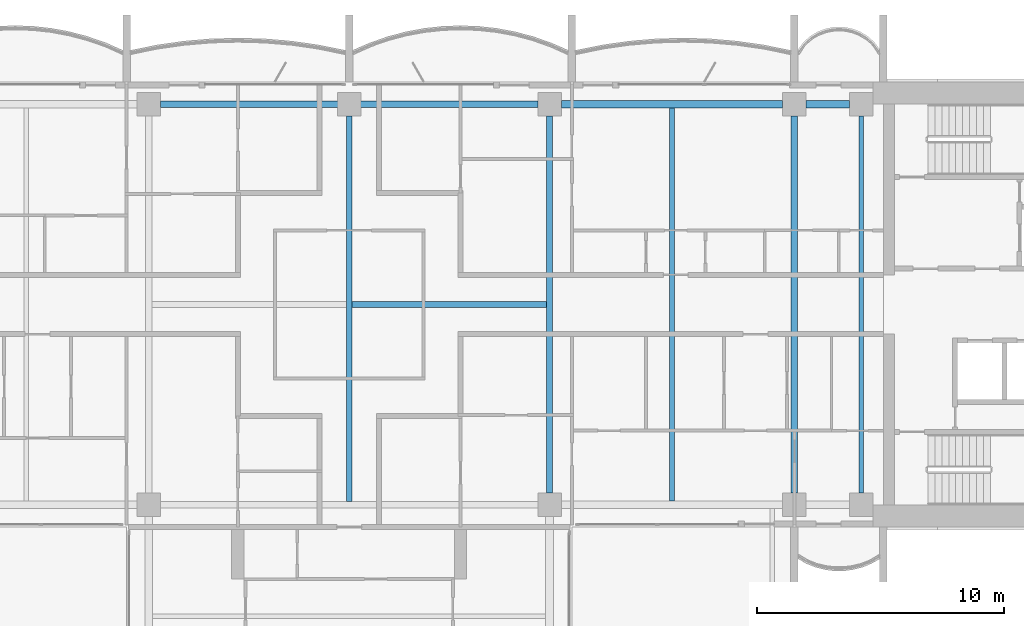
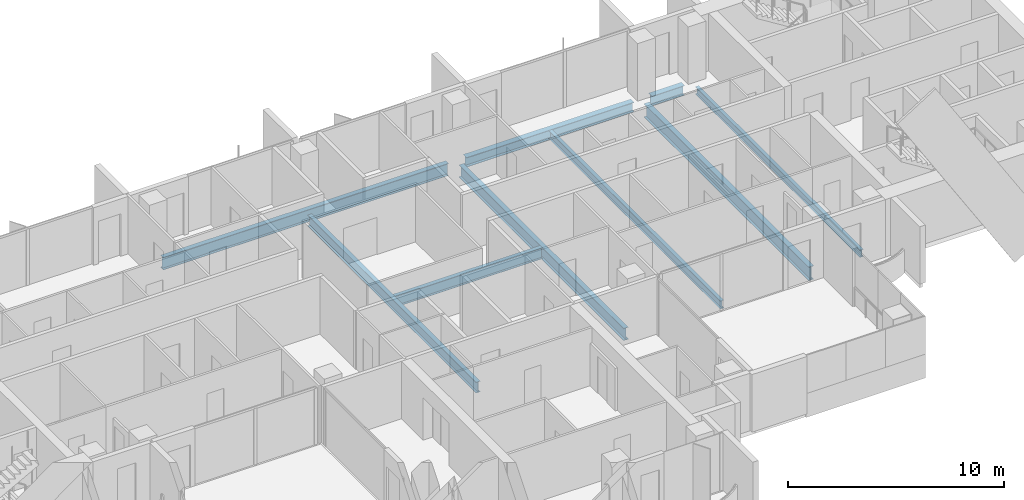
# One storey, part 4 of 17: 9 beams.
"""IFC4 building model written with IfcOpenShell, lengths in metres."""

from ifc_helpers import new_model, si_unit, direction, frame, origin, origin_2d, place, context, subcontext, project, spatial, i_section, extrude, material, material_profile, profile_set, type_object, element, save


model = new_model("IFC4")

# Units and contexts
model_context = context("Model", 3, precision=1e-05, world=origin(), true_north=direction((0.0, 1.0)))
body_context = subcontext(model_context, "Body", "Model", "MODEL_VIEW")
ifc_project = project(units=[si_unit("LENGTHUNIT", "METRE"), si_unit("AREAUNIT", "SQUARE_METRE"), si_unit("VOLUMEUNIT", "CUBIC_METRE"), si_unit("PLANEANGLEUNIT", "RADIAN"), si_unit("MASSUNIT", "GRAM", prefix="KILO")], contexts=[model_context])

# Site, building, storey
site_placement = place(None, origin())
site = spatial("IfcSite", under=ifc_project, at=site_placement, CompositionType="ELEMENT")
building_placement = place(site_placement, origin())
building = spatial("IfcBuilding", under=site, at=building_placement, Name="Perihelion Cross Residences", CompositionType="ELEMENT")
storey_placement = place(building_placement, frame((0.0, 0.0, 208.60009765625)))
storey = spatial("IfcBuildingStorey", under=building, at=storey_placement, Name="L52", CompositionType="ELEMENT", Elevation=208.60009765625)

# Beams
ifc_material_1 = material(Name="Steel S355", Category="steel")
ifc_material_profile_1 = material_profile(ifc_material_1, i_section(OverallWidth=0.180908203125, OverallDepth=0.4169921875, WebThickness=0.010986328125, FlangeThickness=0.018310546875, at=origin_2d()), Name="W410x85")
ifc_profile_set_1 = profile_set([ifc_material_profile_1], Name="Steel S355")
beam_type_1 = type_object("IfcBeamType", Name="Core edge beam W410x85", PredefinedType="BEAM", material=ifc_profile_set_1)
beam_1_placement = place(storey_placement, frame((20.699951171875, -7.625, -0.45849609375), z_axis=(0.0, 1.0, 0.0), x_axis=(-1.0, 0.0, 0.0)))
element("IfcBeam", 1, at=beam_1_placement, inside=storey, type_object=beam_type_1, Name="Core edge beam TB6 L52 no. 2", PredefinedType="BEAM", context=body_context, shape_type="SweptSolid", body=[
    extrude(i_section(OverallWidth=0.180908203125, OverallDepth=0.4169921875, WebThickness=0.010986328125, FlangeThickness=0.018310546875, at=origin_2d()), origin(), (0.0, 0.0, 1.0), 15.25),
])
ifc_material_2 = material(Name="Steel S355", Category="steel")
ifc_material_profile_2 = material_profile(ifc_material_2, i_section(OverallWidth=0.31201171875, OverallDepth=0.5439453125, WebThickness=0.0126953125, FlangeThickness=0.020263671875, at=origin_2d()), Name="W530x150")
ifc_profile_set_2 = profile_set([ifc_material_profile_2], Name="Steel S355")
beam_type_2 = type_object("IfcBeamType", Name="Edge beam W530x150", PredefinedType="SPANDREL", material=ifc_profile_set_2)
beam_2_placement = place(storey_placement, frame((20.22509765625, 8.10009765625, -0.522216796875), z_axis=(-1.0, 0.0, 0.0), x_axis=(0.0, -1.0, 0.0)))
element("IfcBeam", 2, at=beam_2_placement, inside=storey, type_object=beam_type_2, Name="Edge beam SB4 L52 no. 10", PredefinedType="SPANDREL", context=body_context, shape_type="SweptSolid", body=[
    extrude(i_section(OverallWidth=0.31201171875, OverallDepth=0.5439453125, WebThickness=0.0126953125, FlangeThickness=0.020263671875, at=origin_2d()), origin(), (0.0, 0.0, 1.0), 1.75),
])
beam_3_placement = place(storey_placement, frame((17.52490234375, 8.10009765625, -0.522216796875), z_axis=(-1.0, 0.0, 0.0), x_axis=(0.0, -1.0, 0.0)))
element("IfcBeam", 3, at=beam_3_placement, inside=storey, type_object=beam_type_2, Name="Edge beam SB4 L52 no. 9", PredefinedType="SPANDREL", context=body_context, shape_type="SweptSolid", body=[
    extrude(i_section(OverallWidth=0.31201171875, OverallDepth=0.5439453125, WebThickness=0.0126953125, FlangeThickness=0.020263671875, at=origin_2d()), origin(), (0.0, 0.0, 1.0), 8.949951171875),
])
ifc_material_3 = material(Name="Steel S355", Category="steel")
ifc_material_profile_3 = material_profile(ifc_material_3, i_section(OverallWidth=0.26708984375, OverallDepth=0.77001953125, WebThickness=0.015625, FlangeThickness=0.025390625, at=origin_2d()), Name="W760x196")
ifc_profile_set_3 = profile_set([ifc_material_profile_3], Name="Steel S355")
beam_type_3 = type_object("IfcBeamType", Name="Floor girder W760x196", PredefinedType="BEAM", material=ifc_profile_set_3)
beam_4_placement = place(storey_placement, frame((18.0, -7.625, -0.635009765625), z_axis=(0.0, 1.0, 0.0), x_axis=(-1.0, 0.0, 0.0)))
element("IfcBeam", 4, at=beam_4_placement, inside=storey, type_object=beam_type_3, Name="Girder G4 L52 no. 2", PredefinedType="BEAM", context=body_context, shape_type="SweptSolid", body=[
    extrude(i_section(OverallWidth=0.26708984375, OverallDepth=0.77001953125, WebThickness=0.015625, FlangeThickness=0.025390625, at=origin_2d()), origin(), (0.0, 0.0, 1.0), 15.25),
])
ifc_material_4 = material(Name="Steel S355", Category="steel")
ifc_material_profile_4 = material_profile(ifc_material_4, i_section(OverallWidth=0.19091796875, OverallDepth=0.45703125, WebThickness=0.009033203125, FlangeThickness=0.014404296875, at=origin_2d()), Name="W460x74")
ifc_profile_set_4 = profile_set([ifc_material_profile_4], Name="Steel S355")
beam_type_4 = type_object("IfcBeamType", Name="Floor joist W460x74", PredefinedType="JOIST", material=ifc_profile_set_4)
beam_5_placement = place(storey_placement, frame((13.050048828125, -7.944091796875, -0.478515625), z_axis=(0.0, 1.0, 0.0), x_axis=(-1.0, 0.0, 0.0)))
element("IfcBeam", 5, at=beam_5_placement, inside=storey, type_object=beam_type_4, Name="Joist J5 L52 no. 2", PredefinedType="JOIST", context=body_context, shape_type="SweptSolid", body=[
    extrude(i_section(OverallWidth=0.19091796875, OverallDepth=0.45703125, WebThickness=0.009033203125, FlangeThickness=0.014404296875, at=origin_2d()), origin(), (0.0, 0.0, 1.0), 15.88818359375),
])
ifc_material_5 = material(Name="Steel S355", Category="steel")
ifc_material_profile_5 = material_profile(ifc_material_5, i_section(OverallWidth=0.22900390625, OverallDepth=0.612060546875, WebThickness=0.011962890625, FlangeThickness=0.01953125, at=origin_2d()), Name="W610x125")
ifc_profile_set_5 = profile_set([ifc_material_profile_5], Name="Steel S355")
beam_type_5 = type_object("IfcBeamType", Name="Hub cross beam W610x125", PredefinedType="BEAM", material=ifc_profile_set_5)
beam_6_placement = place(storey_placement, frame((0.0, -7.971435546875, -0.55615234375), z_axis=(0.0, 1.0, 0.0), x_axis=(-1.0, 0.0, 0.0)))
element("IfcBeam", 6, at=beam_6_placement, inside=storey, type_object=beam_type_5, Name="Hub cross beam XB4 L52 no. 1", PredefinedType="BEAM", context=body_context, shape_type="SweptSolid", body=[
    extrude(i_section(OverallWidth=0.22900390625, OverallDepth=0.612060546875, WebThickness=0.011962890625, FlangeThickness=0.01953125, at=origin_2d()), origin(), (0.0, 0.0, 1.0), 15.596435546875),
])
beam_7_placement = place(storey_placement, frame((0.114501953125, 0.0, -0.55615234375), z_axis=(1.0, 0.0, 0.0), x_axis=(0.0, 1.0, 0.0)))
element("IfcBeam", 7, at=beam_7_placement, inside=storey, type_object=beam_type_5, Name="Hub cross beam XB4 L52 2 no. 1", PredefinedType="BEAM", context=body_context, shape_type="SweptSolid", body=[
    extrude(i_section(OverallWidth=0.22900390625, OverallDepth=0.612060546875, WebThickness=0.011962890625, FlangeThickness=0.01953125, at=origin_2d()), origin(), (0.0, 0.0, 1.0), 7.85693359375),
])
ifc_material_6 = material(Name="Steel S355", Category="steel")
ifc_material_profile_6 = material_profile(ifc_material_6, i_section(OverallWidth=0.257080078125, OverallDepth=0.693115234375, WebThickness=0.014404296875, FlangeThickness=0.023681640625, at=origin_2d()), Name="W690x170")
ifc_profile_set_6 = profile_set([ifc_material_profile_6], Name="Steel S355")
beam_type_6 = type_object("IfcBeamType", Name="Hub ring girder W690x170", PredefinedType="BEAM", material=ifc_profile_set_6)
for number, where, z_axis, x_axis, name in (
    (8, (8.10009765625, -7.625, -0.5966796875), (0.0, 1.0, 0.0), (-1.0, 0.0, 0.0), "Hub ring girder RG4 L52 no. 3"),
    (9, (7.625, 8.10009765625, -0.5966796875), (-1.0, 0.0, 0.0), (0.0, -1.0, 0.0), "Hub ring girder RG4 L52 no. 4"),
):
    element("IfcBeam", number, at=place(storey_placement, frame(where, z_axis=z_axis, x_axis=x_axis)), inside=storey, type_object=beam_type_6, Name=name, PredefinedType="BEAM", context=body_context, shape_type="SweptSolid", body=[
        extrude(i_section(OverallWidth=0.257080078125, OverallDepth=0.693115234375, WebThickness=0.014404296875, FlangeThickness=0.023681640625, at=origin_2d()), origin(), (0.0, 0.0, 1.0), 15.25),
    ])

save(model, "model.ifc")
